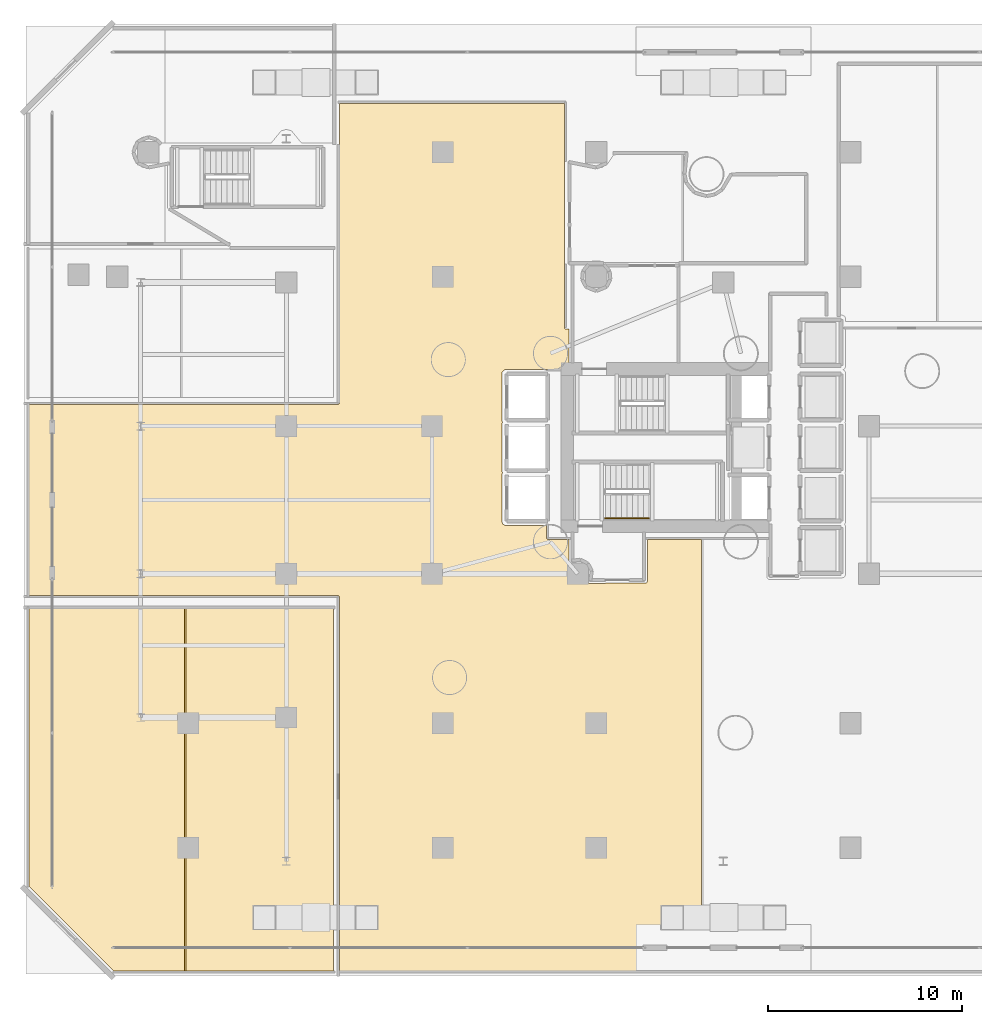
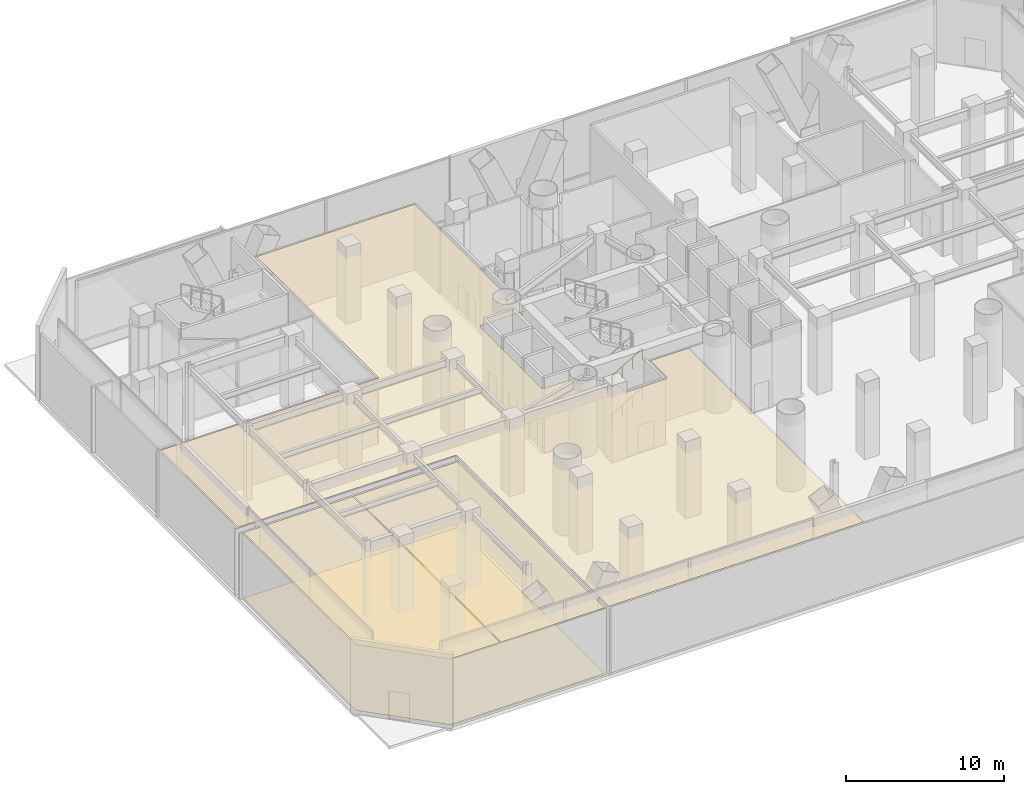
# One storey, part 33 of 40: 4 coverings, 2 railings.
"""IFC4 building model written with IfcOpenShell, lengths in metres."""

from ifc_helpers import new_model, si_unit, direction, frame, origin, origin_2d, place, context, subcontext, project, spatial, polyline, rectangle, outline, extrude, material, layer, layer_set, type_object, element, save


model = new_model("IFC4")

# Units and contexts
model_context = context("Model", 3, precision=1e-05, world=origin(), true_north=direction((0.0, 1.0)))
body_context = subcontext(model_context, "Body", "Model", "MODEL_VIEW")
ifc_project = project(units=[si_unit("LENGTHUNIT", "METRE"), si_unit("AREAUNIT", "SQUARE_METRE"), si_unit("VOLUMEUNIT", "CUBIC_METRE"), si_unit("PLANEANGLEUNIT", "RADIAN"), si_unit("MASSUNIT", "GRAM", prefix="KILO")], contexts=[model_context])

# Site, building, storey
site_placement = place(None, origin())
site = spatial("IfcSite", under=ifc_project, at=site_placement, CompositionType="ELEMENT")
building_placement = place(site_placement, origin())
building = spatial("IfcBuilding", under=site, at=building_placement, Name="Qianvela Tower", CompositionType="ELEMENT")
storey_placement = place(building_placement, origin())
storey = spatial("IfcBuildingStorey", under=building, at=storey_placement, Name="L00", CompositionType="ELEMENT", Elevation=0.0)

# Coverings
ifc_material_1 = material(Name="Perforated Mineral Acoustic Ceiling Tile")
ifc_layer_1 = layer(ifc_material_1, 0.02490234375)
ifc_layer_set_1 = layer_set([ifc_layer_1], Name="Perforated Mineral Acoustic Ceiling Tile")
covering_type_1 = type_object("IfcCoveringType", Name="COV-CEIL-ACOUSTIC-25", PredefinedType="CEILING", material=ifc_layer_set_1)
covering_1_placement = place(storey_placement, frame((0.0, 0.0, 5.074951171875)))
element("IfcCovering", 1, at=covering_1_placement, inside=storey, type_object=covering_type_1, Name="L00 Acoustic Ceiling Bay 1 Street Concourse", PredefinedType="CEILING", context=body_context, shape_type="SweptSolid", body=[
    extrude(outline(polyline([(1.760009765625, 30.919921875), (17.64990234375, 30.919921875), (17.65771484375, 30.92041015625), (17.66552734375, 30.92138671875), (17.673095703125, 30.92333984375), (17.6806640625, 30.926025390625), (17.687744140625, 30.929443359375), (17.6943359375, 30.93359375), (17.70068359375, 30.938232421875), (17.70654296875, 30.943359375), (17.7119140625, 30.94921875), (17.716552734375, 30.95556640625), (17.720703125, 30.96240234375), (17.723876953125, 30.969482421875), (17.7265625, 30.976806640625), (17.728515625, 30.984375), (17.7294921875, 30.9921875), (17.72998046875, 31.0), (17.72998046875, 46.419921875), (29.320068359375, 46.419921875), (29.320068359375, 34.8798828125), (29.3203125, 34.872314453125), (29.321533203125, 34.864501953125), (29.323486328125, 34.856689453125), (29.326171875, 34.849365234375), (29.329345703125, 34.84228515625), (29.33349609375, 34.835693359375), (29.338134765625, 34.8291015625), (29.343505859375, 34.823486328125), (29.34912109375, 34.818115234375), (29.355712890625, 34.8134765625), (29.3623046875, 34.809326171875), (29.369384765625, 34.80615234375), (29.376708984375, 34.803466796875), (29.384521484375, 34.801513671875), (29.39208984375, 34.80029296875), (29.39990234375, 34.800048828125), (29.55810546875, 34.800048828125), (29.55810546875, 32.7099609375), (29.547607421875, 32.7001953125), (26.320556640625, 32.719970703125), (26.3125, 32.719482421875), (26.3046875, 32.718505859375), (26.296875, 32.716552734375), (26.218994140625, 32.693115234375), (26.211669921875, 32.690185546875), (26.20458984375, 32.68701171875), (26.19775390625, 32.682861328125), (26.19140625, 32.67822265625), (26.185791015625, 32.673095703125), (26.180419921875, 32.667236328125), (26.12890625, 32.604248046875), (26.124267578125, 32.59814453125), (26.1201171875, 32.59130859375), (26.11669921875, 32.584228515625), (26.1142578125, 32.576904296875), (26.1123046875, 32.5693359375), (26.111083984375, 32.561767578125), (26.110595703125, 32.553955078125), (26.10009765625, 30.100341796875), (26.100341796875, 30.09228515625), (26.1015625, 30.084228515625), (26.103515625, 30.076416015625), (26.106201171875, 30.06884765625), (26.13525390625, 30.0), (26.106201171875, 29.93115234375), (26.103515625, 29.923583984375), (26.1015625, 29.915771484375), (26.100341796875, 29.907958984375), (26.10009765625, 29.89990234375), (26.10009765625, 27.5), (26.100341796875, 27.491943359375), (26.1015625, 27.484130859375), (26.103515625, 27.476318359375), (26.106201171875, 27.468994140625), (26.13525390625, 27.39990234375), (26.106201171875, 27.3310546875), (26.103515625, 27.323486328125), (26.1015625, 27.31591796875), (26.100341796875, 27.30810546875), (26.10009765625, 27.300048828125), (26.10009765625, 24.89990234375), (26.100341796875, 24.89306640625), (26.101318359375, 24.88623046875), (26.1025390625, 24.879638671875), (26.104736328125, 24.873046875), (26.136474609375, 24.7841796875), (26.1396484375, 24.776611328125), (26.143798828125, 24.76904296875), (26.1484375, 24.76220703125), (26.154052734375, 24.755859375), (26.16015625, 24.75), (26.1669921875, 24.7451171875), (26.174072265625, 24.740478515625), (26.2685546875, 24.690185546875), (26.275634765625, 24.686767578125), (26.282958984375, 24.68408203125), (26.290771484375, 24.68212890625), (26.29833984375, 24.68115234375), (26.306396484375, 24.6806640625), (28.39990234375, 24.679931640625), (28.39990234375, 24.050048828125), (28.400390625, 24.042236328125), (28.401611328125, 24.034423828125), (28.4033203125, 24.02685546875), (28.406005859375, 24.019287109375), (28.409423828125, 24.01220703125), (28.41357421875, 24.005615234375), (28.418212890625, 23.999267578125), (28.42333984375, 23.993408203125), (28.42919921875, 23.98828125), (28.435546875, 23.9833984375), (28.4423828125, 23.9794921875), (28.449462890625, 23.97607421875), (28.456787109375, 23.973388671875), (28.46435546875, 23.971435546875), (28.47216796875, 23.970458984375), (28.47998046875, 23.969970703125), (29.558349609375, 23.969970703125), (29.56298828125, 22.81640625), (29.563232421875, 22.808349609375), (29.564697265625, 22.800537109375), (29.566650390625, 22.792724609375), (29.5693359375, 22.785400390625), (29.57275390625, 22.778076171875), (29.576904296875, 22.771240234375), (29.581787109375, 22.764892578125), (29.58740234375, 22.75927734375), (29.59326171875, 22.75390625), (29.599853515625, 22.749267578125), (29.65869140625, 22.71142578125), (29.66552734375, 22.70751953125), (29.6728515625, 22.704345703125), (29.68017578125, 22.701904296875), (29.68798828125, 22.7001953125), (29.69580078125, 22.69921875), (29.70361328125, 22.698974609375), (29.71142578125, 22.699462890625), (29.71923828125, 22.70068359375), (29.726806640625, 22.702880859375), (29.884521484375, 22.75439453125), (30.1103515625, 22.75439453125), (30.32080078125, 22.667236328125), (30.401123046875, 22.601318359375), (30.46728515625, 22.520751953125), (30.554443359375, 22.310302734375), (30.554443359375, 22.087646484375), (30.477294921875, 21.883056640625), (30.47509765625, 21.875732421875), (30.473388671875, 21.868408203125), (30.472412109375, 21.860595703125), (30.472412109375, 21.85302734375), (30.472900390625, 21.84521484375), (30.47412109375, 21.837890625), (30.476318359375, 21.830322265625), (30.47900390625, 21.8232421875), (30.482177734375, 21.81640625), (30.486328125, 21.809814453125), (30.5302734375, 21.745361328125), (30.534912109375, 21.7392578125), (30.540283203125, 21.7333984375), (30.546142578125, 21.728271484375), (30.552490234375, 21.7236328125), (30.55908203125, 21.7197265625), (30.566162109375, 21.716552734375), (30.573486328125, 21.7138671875), (30.5810546875, 21.712158203125), (30.5888671875, 21.7109375), (30.5966796875, 21.710693359375), (33.489501953125, 21.72216796875), (33.497802734375, 21.722412109375), (33.505859375, 21.723876953125), (33.513916015625, 21.725830078125), (33.521484375, 21.728759765625), (33.52880859375, 21.732421875), (33.53564453125, 21.73681640625), (33.5419921875, 21.741943359375), (33.5478515625, 21.74755859375), (33.55322265625, 21.75390625), (33.557861328125, 21.7607421875), (33.561767578125, 21.767822265625), (33.584228515625, 21.81591796875), (33.587646484375, 21.823974609375), (33.590087890625, 21.83251953125), (33.591552734375, 21.84130859375), (33.592041015625, 21.85009765625), (33.592041015625, 23.969970703125), (36.37451171875, 23.969970703125), (36.37451171875, 1.760009765625), (17.72998046875, 1.760009765625), (17.72998046875, 21.0), (17.7294921875, 21.0078125), (17.728515625, 21.015625), (17.7265625, 21.023193359375), (17.723876953125, 21.030517578125), (17.720703125, 21.03759765625), (17.716552734375, 21.04443359375), (17.7119140625, 21.05078125), (17.70654296875, 21.056640625), (17.70068359375, 21.061767578125), (17.6943359375, 21.06640625), (17.687744140625, 21.070556640625), (17.6806640625, 21.073974609375), (17.673095703125, 21.07666015625), (17.66552734375, 21.07861328125), (17.65771484375, 21.07958984375), (17.64990234375, 21.080078125), (1.760009765625, 21.080078125), (1.760009765625, 30.919921875)])), origin(), (0.0, 0.0, 1.0), 0.025146484375),
])
covering_2_placement = place(storey_placement, frame((0.0, 0.0, 5.074951171875)))
element("IfcCovering", 2, at=covering_2_placement, inside=storey, type_object=covering_type_1, Name="L00 Acoustic Ceiling Bay 1 Concourse Bakery and Cafe", PredefinedType="CEILING", context=body_context, shape_type="SweptSolid", body=[
    extrude(outline(polyline([(1.760009765625, 6.107666015625), (1.760009765625, 20.419921875), (9.76318359375, 20.419921875), (9.76318359375, 1.760009765625), (6.107666015625, 1.760009765625), (1.760009765625, 6.107666015625)])), origin(), (0.0, 0.0, 1.0), 0.025146484375),
])
covering_3_placement = place(storey_placement, frame((0.0, 0.0, 5.074951171875)))
element("IfcCovering", 3, at=covering_3_placement, inside=storey, type_object=covering_type_1, Name="L00 Acoustic Ceiling Bay 2 Concourse Bakery and Cafe", PredefinedType="CEILING", context=body_context, shape_type="SweptSolid", body=[
    extrude(outline(polyline([(17.419921875, 20.419921875), (17.419921875, 1.760009765625), (9.84326171875, 1.760009765625), (9.84326171875, 20.419921875), (17.419921875, 20.419921875)])), origin(), (0.0, 0.0, 1.0), 0.025146484375),
])
ifc_material_2 = material(Name="Engineered Acoustic Oak Timber Flooring", Category="wood")
ifc_layer_2 = layer(ifc_material_2, 0.02001953125)
ifc_layer_set_2 = layer_set([ifc_layer_2], Name="Engineered Acoustic Oak Timber Flooring")
covering_type_2 = type_object("IfcCoveringType", Name="COV-FLOOR-OAK-20", PredefinedType="FLOORING", material=ifc_layer_set_2)
covering_4_placement = place(storey_placement, origin())
element("IfcCovering", 4, at=covering_4_placement, inside=storey, type_object=covering_type_2, Name="L00 Finish Flooring Concourse Bakery and Cafe", PredefinedType="FLOORING", context=body_context, shape_type="SweptSolid", body=[
    extrude(outline(polyline([(6.107666015625, 1.760009765625), (1.760009765625, 6.107666015625), (1.760009765625, 20.419921875), (17.419921875, 20.419921875), (17.419921875, 1.760009765625), (6.107666015625, 1.760009765625)])), origin(), (0.0, 0.0, 1.0), 0.02001953125),
])

# Railings
ifc_material_3 = material(Name="Brushed Stainless Steel 304", Category="steel")
railing_type = type_object("IfcRailingType", Name="RL-STAIR-HANDRAIL-900", PredefinedType="HANDRAIL", material=ifc_material_3)
for number, where, name in (
    (5, (31.419921875, 25.050048828125, 0.166748046875), "L00 ST-2 stair handrail 1"),
    (6, (31.419921875, 25.050048828125, 3.166748046875), "L00 ST-2 stair handrail 3"),
):
    element("IfcRailing", number, at=place(storey_placement, frame(where)), inside=storey, type_object=railing_type, Name=name, PredefinedType="HANDRAIL", context=body_context, shape_type="SweptSolid", body=[
        extrude(rectangle(XDim=0.050048828125, YDim=0.0400390625, at=origin_2d()), frame((0.0, 0.0, 0.8798828125), z_axis=(0.859305625298, 0.0, 0.511462454469), x_axis=(0.0, 1.0, 0.0)), (0.0, 0.0, 1.0), 2.606689453125),
        extrude(rectangle(XDim=0.050048828125, YDim=0.050048828125, at=origin_2d()), origin(), (0.0, 0.0, 1.0), 0.85986328125),
        extrude(rectangle(XDim=0.050048828125, YDim=0.050048828125, at=origin_2d()), frame((0.74658203125, 0.0, 0.4443359375)), (0.0, 0.0, 1.0), 0.85986328125),
        extrude(rectangle(XDim=0.050048828125, YDim=0.050048828125, at=origin_2d()), frame((1.493408203125, 0.0, 0.888916015625)), (0.0, 0.0, 1.0), 0.85986328125),
        extrude(rectangle(XDim=0.050048828125, YDim=0.050048828125, at=origin_2d()), frame((2.239990234375, 0.0, 1.333251953125)), (0.0, 0.0, 1.0), 0.85986328125),
    ])

save(model, "model.ifc")
